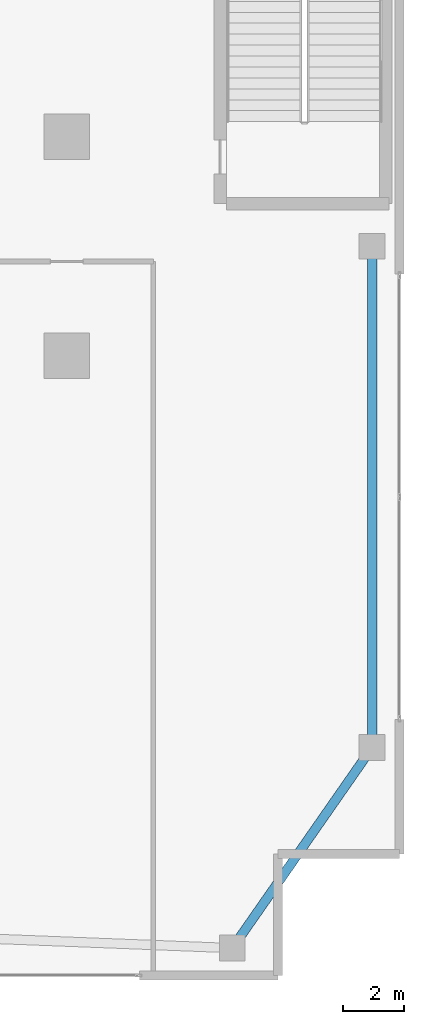
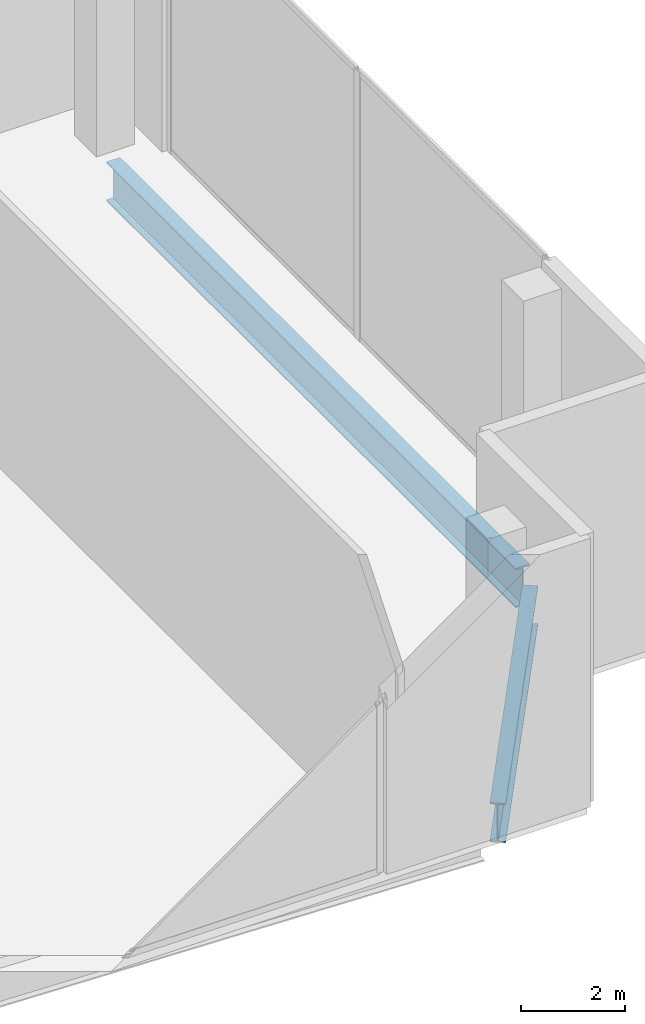
# One storey, part 19 of 30: 2 beams.
"""IFC4 building model written with IfcOpenShell, lengths in metres."""

from ifc_helpers import new_model, si_unit, direction, frame, origin, origin_2d, place, context, subcontext, project, spatial, i_section, extrude, material, material_profile, profile_set, type_object, element, save


model = new_model("IFC4")

# Units and contexts
model_context = context("Model", 3, precision=1e-05, world=origin(), true_north=direction((0.0, 1.0)))
body_context = subcontext(model_context, "Body", "Model", "MODEL_VIEW")
ifc_project = project(units=[si_unit("LENGTHUNIT", "METRE"), si_unit("AREAUNIT", "SQUARE_METRE"), si_unit("VOLUMEUNIT", "CUBIC_METRE"), si_unit("PLANEANGLEUNIT", "RADIAN"), si_unit("MASSUNIT", "GRAM", prefix="KILO")], contexts=[model_context])

# Site, building, storey
site_placement = place(None, origin())
site = spatial("IfcSite", under=ifc_project, at=site_placement, CompositionType="ELEMENT")
building_placement = place(site_placement, origin())
building = spatial("IfcBuilding", under=site, at=building_placement, Name="Zuhayl Quay Hotel", CompositionType="ELEMENT")
storey_placement = place(building_placement, frame((0.0, 0.0, 11.39990234375)))
storey = spatial("IfcBuildingStorey", under=building, at=storey_placement, Name="L02", CompositionType="ELEMENT", Elevation=11.39990234375)

# Beams
ifc_material = material(Name="Steel ASTM A992 Grade 50", Category="steel")
ifc_material_profile = material_profile(ifc_material, i_section(OverallWidth=0.306884765625, OverallDepth=0.927001953125, WebThickness=0.019287109375, FlangeThickness=0.031982421875, at=origin_2d()), Name="W36X194")
ifc_profile_set = profile_set([ifc_material_profile], Name="Steel ASTM A992 Grade 50")
beam_type = type_object("IfcBeamType", Name="BM_PG2_W36X194", PredefinedType="BEAM", material=ifc_profile_set)
beam_1_placement = place(storey_placement, frame((30.6943359375, -22.821044921875, -0.723388671875), z_axis=(0.571785900762, 0.820402878889, 0.0), x_axis=(-0.820402878889, 0.571785900762, 0.0)))
element("IfcBeam", 1, at=beam_1_placement, inside=storey, type_object=beam_type, Name="L02 Floor Beam PG_E_L02_0", PredefinedType="BEAM", context=body_context, shape_type="SweptSolid", body=[
    extrude(i_section(OverallWidth=0.306884765625, OverallDepth=0.927001953125, WebThickness=0.019287109375, FlangeThickness=0.031982421875, at=origin_2d()), origin(), (0.0, 0.0, 1.0), 7.364990234375),
])
beam_2_placement = place(storey_placement, frame((35.10009765625, -16.159912109375, -0.723388671875), z_axis=(0.0, 1.0, 0.0), x_axis=(-1.0, 0.0, 0.0)))
element("IfcBeam", 2, at=beam_2_placement, inside=storey, type_object=beam_type, Name="L02 Floor Beam PG_E_L02_1", PredefinedType="BEAM", context=body_context, shape_type="SweptSolid", body=[
    extrude(i_section(OverallWidth=0.306884765625, OverallDepth=0.927001953125, WebThickness=0.019287109375, FlangeThickness=0.031982421875, at=origin_2d()), origin(), (0.0, 0.0, 1.0), 15.81982421875),
])

save(model, "model.ifc")
